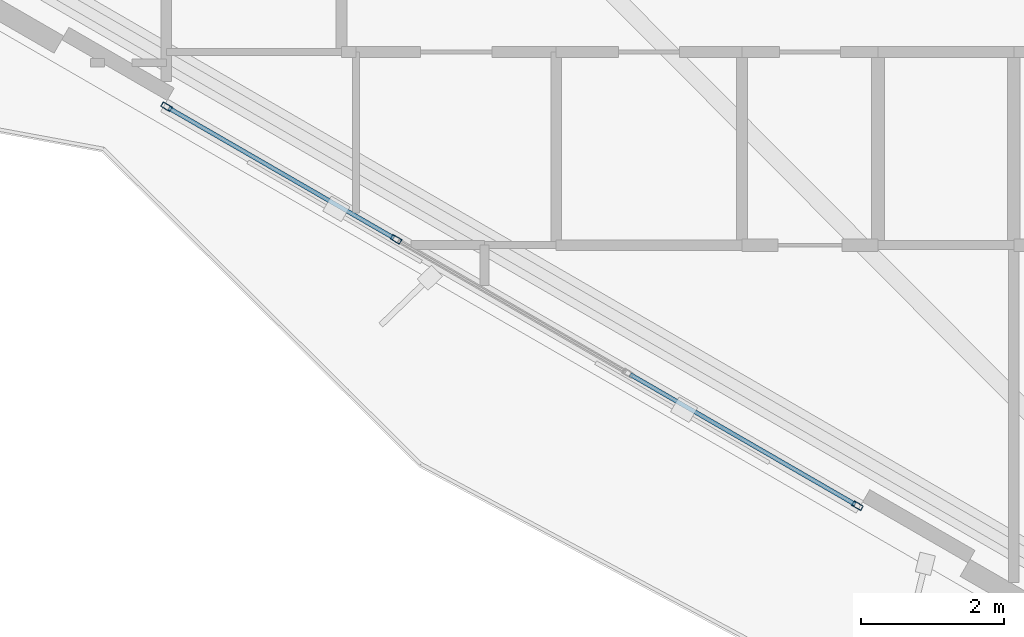
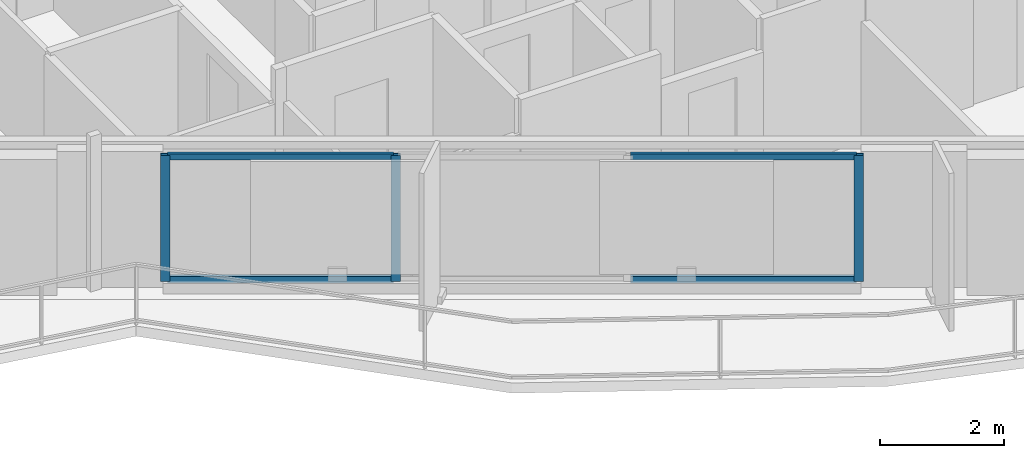
# One storey, part 2 of 23: 7 members, 1 element without a shape of its own.
"""IFC4 building model written with IfcOpenShell, lengths in metres."""

from ifc_helpers import new_model, si_unit, direction, frame, origin, origin_2d, place, context, subcontext, project, spatial, hollow_rectangle, extrude, material, layer, layer_set, material_profile, profile_set, type_object, element, aggregate, save


model = new_model("IFC4")

# Units and contexts
model_context = context("Model", 3, precision=1e-05, world=origin(), true_north=direction((0.0, 1.0)))
body_context = subcontext(model_context, "Body", "Model", "MODEL_VIEW")
ifc_project = project(units=[si_unit("LENGTHUNIT", "METRE"), si_unit("AREAUNIT", "SQUARE_METRE"), si_unit("VOLUMEUNIT", "CUBIC_METRE"), si_unit("PLANEANGLEUNIT", "RADIAN"), si_unit("MASSUNIT", "GRAM", prefix="KILO")], contexts=[model_context])

# Site, building, storey
site_placement = place(None, origin())
site = spatial("IfcSite", under=ifc_project, at=site_placement, CompositionType="ELEMENT")
building_placement = place(site_placement, origin())
building = spatial("IfcBuilding", under=site, at=building_placement, Name="Mersakhor Tower and Convention Hall", CompositionType="ELEMENT")
storey_placement = place(building_placement, frame((0.0, 0.0, 80.10009765625)))
storey = spatial("IfcBuildingStorey", under=building, at=storey_placement, Name="L21", CompositionType="ELEMENT", Elevation=80.10009765625)

# Curtain wall, members
ifc_material_1 = material(Name="Dark solar low-E aluminium curtain wall", Category="aluminium")
ifc_layer = layer(ifc_material_1, 0.159912109375)
ifc_layer_set = layer_set([ifc_layer], Name="Dark solar low-E aluminium curtain wall")
curtain_wall_type = type_object("IfcCurtainWallType", Name="CW-SYS-01", PredefinedType="USERDEFINED", material=ifc_layer_set)
curtain_wall_placement = place(storey_placement, origin())
curtain_wall = element("IfcCurtainWall", 1, at=curtain_wall_placement, inside=storey, type_object=curtain_wall_type, Name="L21 Dark-Glass Curtain Wall F3-B2", ObjectType="CURTAIN WALL", PredefinedType="USERDEFINED")
ifc_material_2 = material(Name="Anodised aluminium EN AW-6063 T6", Category="aluminium")
ifc_material_profile_1 = material_profile(ifc_material_2, hollow_rectangle(XDim=0.074951171875, YDim=0.14990234375, WallThickness=0.00634765625, at=origin_2d()), Name="RHS 150x75x6.3")
ifc_profile_set_1 = profile_set([ifc_material_profile_1], Name="Anodised aluminium EN AW-6063 T6")
member_type_1 = type_object("IfcMemberType", Name="CWM-150x75", PredefinedType="MULLION", material=ifc_profile_set_1)
member_1_placement = place(storey_placement, frame((26.812744140625, 11.80712890625, 0.199951171875), z_axis=(0.0, 0.0, 1.0), x_axis=(-0.499997904985, -0.866026613339, 0.0)))
member_1 = element("IfcMember", 2, at=member_1_placement, type_object=member_type_1, Name="CW-01 mullion 1", PredefinedType="MULLION", context=body_context, shape_type="SweptSolid", body=[
    extrude(hollow_rectangle(XDim=0.074951171875, YDim=0.14990234375, WallThickness=0.00634765625, at=origin_2d()), origin(), (0.0, 0.0, 1.0), 2.469970703125),
])
member_2_placement = place(storey_placement, frame((20.36181640625, 15.531494140625, 0.199951171875), z_axis=(0.0, 0.0, 1.0), x_axis=(-0.499997904985, -0.866026613339, 0.0)))
member_2 = element("IfcMember", 3, at=member_2_placement, type_object=member_type_1, Name="CW-01 mullion 3", PredefinedType="MULLION", context=body_context, shape_type="SweptSolid", body=[
    extrude(hollow_rectangle(XDim=0.074951171875, YDim=0.14990234375, WallThickness=0.00634765625, at=origin_2d()), origin(), (0.0, 0.0, 1.0), 2.469970703125),
])
member_3_placement = place(storey_placement, frame((17.152587890625, 17.38427734375, 0.199951171875), z_axis=(0.0, 0.0, 1.0), x_axis=(-0.499997904985, -0.866026613339, 0.0)))
member_3 = element("IfcMember", 4, at=member_3_placement, type_object=member_type_1, Name="CW-01 mullion 4", PredefinedType="MULLION", context=body_context, shape_type="SweptSolid", body=[
    extrude(hollow_rectangle(XDim=0.074951171875, YDim=0.14990234375, WallThickness=0.00634765625, at=origin_2d()), origin(), (0.0, 0.0, 1.0), 2.469970703125),
])
ifc_material_3 = material(Name="Anodised aluminium EN AW-6063 T6", Category="aluminium")
ifc_material_profile_2 = material_profile(ifc_material_3, hollow_rectangle(XDim=0.06005859375, YDim=0.1201171875, WallThickness=0.0048828125, at=origin_2d()), Name="RHS 120x60x5")
ifc_profile_set_2 = profile_set([ifc_material_profile_2], Name="Anodised aluminium EN AW-6063 T6")
member_type_2 = type_object("IfcMemberType", Name="CWT-120x60", PredefinedType="USERDEFINED", material=ifc_profile_set_2)
member_4_placement = place(storey_placement, frame((26.7802734375, 11.82568359375, 0.22998046875), z_axis=(-0.866016497289, 0.500015426185, 0.0), x_axis=(-0.500015426185, -0.866016497289, 0.0)))
member_4 = element("IfcMember", 5, at=member_4_placement, type_object=member_type_2, Name="CW-01 transom 1.1", ObjectType="TRANSOM", PredefinedType="USERDEFINED", context=body_context, shape_type="SweptSolid", body=[
    extrude(hollow_rectangle(XDim=0.06005859375, YDim=0.1201171875, WallThickness=0.0048828125, at=origin_2d()), origin(), (0.0, 0.0, 1.0), 3.630859375),
])
member_5_placement = place(storey_placement, frame((26.7802734375, 11.82568359375, 2.639892578125), z_axis=(-0.866016497289, 0.500015426185, 0.0), x_axis=(-0.500015426185, -0.866016497289, 0.0)))
member_5 = element("IfcMember", 6, at=member_5_placement, type_object=member_type_2, Name="CW-01 transom 1.2", ObjectType="TRANSOM", PredefinedType="USERDEFINED", context=body_context, shape_type="SweptSolid", body=[
    extrude(hollow_rectangle(XDim=0.06005859375, YDim=0.1201171875, WallThickness=0.0048828125, at=origin_2d()), origin(), (0.0, 0.0, 1.0), 3.630859375),
])
member_6_placement = place(storey_placement, frame((20.329345703125, 15.55029296875, 0.22998046875), z_axis=(-0.866045614266, 0.499964992784, 0.0), x_axis=(-0.499964992784, -0.866045614266, 0.0)))
member_6 = element("IfcMember", 7, at=member_6_placement, type_object=member_type_2, Name="CW-01 transom 3.1", ObjectType="TRANSOM", PredefinedType="USERDEFINED", context=body_context, shape_type="SweptSolid", body=[
    extrude(hollow_rectangle(XDim=0.06005859375, YDim=0.1201171875, WallThickness=0.0048828125, at=origin_2d()), origin(), (0.0, 0.0, 1.0), 3.630615234375),
])
member_7_placement = place(storey_placement, frame((20.329345703125, 15.55029296875, 2.639892578125), z_axis=(-0.866045614266, 0.499964992784, 0.0), x_axis=(-0.499964992784, -0.866045614266, 0.0)))
member_7 = element("IfcMember", 8, at=member_7_placement, type_object=member_type_2, Name="CW-01 transom 3.2", ObjectType="TRANSOM", PredefinedType="USERDEFINED", context=body_context, shape_type="SweptSolid", body=[
    extrude(hollow_rectangle(XDim=0.06005859375, YDim=0.1201171875, WallThickness=0.0048828125, at=origin_2d()), origin(), (0.0, 0.0, 1.0), 3.630615234375),
])
aggregate(curtain_wall, [member_1, member_2, member_3, member_4, member_5, member_6, member_7])

save(model, "model.ifc")
